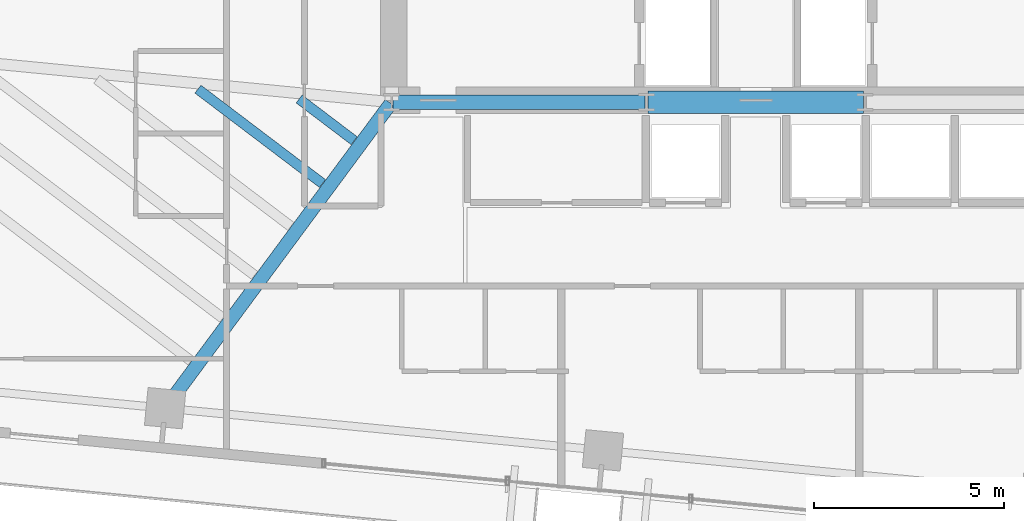
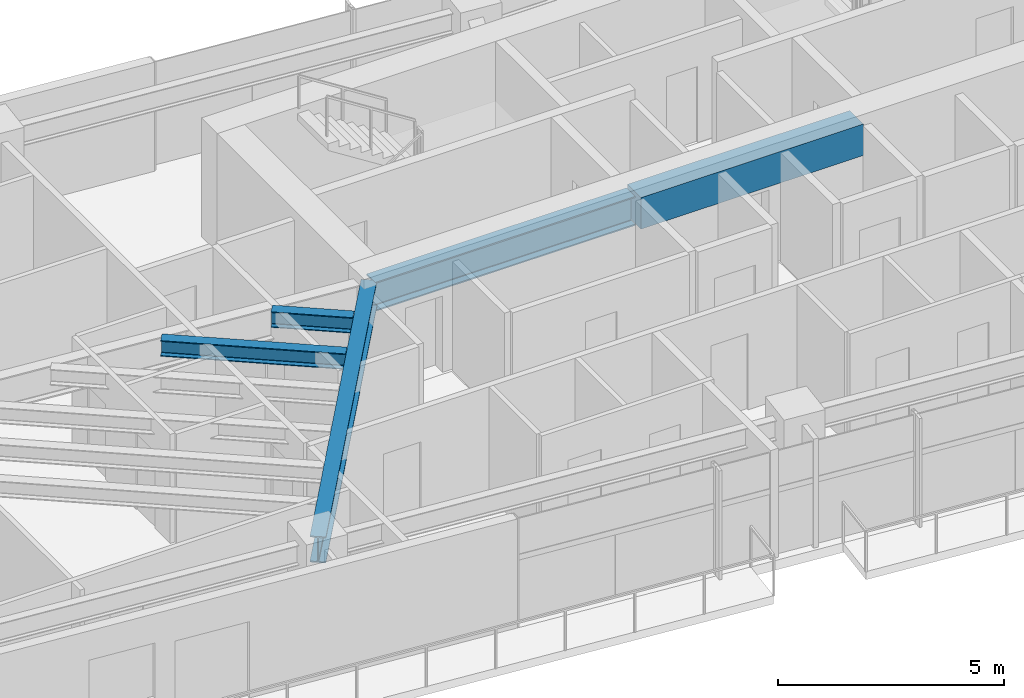
# One storey, part 5 of 20: 5 beams.
"""IFC4 building model written with IfcOpenShell, lengths in metres."""

import ifcopenshell
import ifcopenshell.guid

model = None  # the IFC model being written
_history = None  # IfcOwnerHistory: only IFC2X3 demands one
_inside = {}  # id of a spatial element -> (the spatial element, [elements in it])
_under = {}  # id of a project, library or spatial element -> (it, [spatial elements below it])
_declared = {}  # id of a project -> (the project, [libraries it declares])
_typed = {}  # id of a type object -> (the type object, [elements of that type])
_made_of = {}  # id of a material, layer set ... -> (it, [elements and type objects made of it])


def new_model(schema):
    """Start an empty IFC model of exactly this schema.

    Asked for "IFC4X3", IfcOpenShell would pick the latest addendum, in which some entities
    have other attributes; the version numbers below select the first issue.
    IFC2X3 requires an IfcOwnerHistory on every rooted entity: one is made here for all.
    """
    global model, _history
    if schema == "IFC4X3":
        model = ifcopenshell.file(schema_version=(4, 3, 0, 0))
    else:
        model = ifcopenshell.file(schema=schema)
    _inside.clear()
    _under.clear()
    _declared.clear()
    _typed.clear()
    _made_of.clear()
    _history = None
    if model.schema == "IFC2X3":
        org = make("IfcOrganization", Name="unknown")
        user = make(
            "IfcPersonAndOrganization",
            ThePerson=make("IfcPerson", FamilyName="unknown"),
            TheOrganization=org,
        )
        app = make(
            "IfcApplication",
            ApplicationDeveloper=org,
            Version="unknown",
            ApplicationFullName="unknown",
            ApplicationIdentifier="unknown",
        )
        _history = make(
            "IfcOwnerHistory",
            OwningUser=user,
            OwningApplication=app,
            ChangeAction="ADDED",
            CreationDate=0,
        )
    return model


def make(cls, **values):
    """One entity of the class cls with the attributes given. An attribute that is None is left unset."""
    return model.create_entity(
        cls, **{name: value for name, value in values.items() if value is not None}
    )


def rooted(cls, **values):
    """An entity with a GlobalId (a new one), such as an element, a storey or a relation."""
    return make(cls, GlobalId=ifcopenshell.guid.new(), OwnerHistory=_history, **values)


def si_unit(unit_type, name, prefix=None):
    """IfcSIUnit, for example si_unit("LENGTHUNIT", "METRE", prefix="MILLI")."""
    return make("IfcSIUnit", UnitType=unit_type, Prefix=prefix, Name=name)


def assignment(units):
    """IfcUnitAssignment: the units of a project."""
    return None if units is None else make("IfcUnitAssignment", Units=units)


def point(xyz):
    """IfcCartesianPoint."""
    return None if xyz is None else make("IfcCartesianPoint", Coordinates=xyz)


def direction(xyz):
    """IfcDirection."""
    return None if xyz is None else make("IfcDirection", DirectionRatios=xyz)


def frame(location, z_axis=None, x_axis=None):
    """IfcAxis2Placement3D, a coordinate frame: its origin and axes. An axis left out is left unset."""
    return make(
        "IfcAxis2Placement3D",
        Location=point(location),
        Axis=direction(z_axis),
        RefDirection=direction(x_axis),
    )


def frame_2d(location, x_axis=None):
    """IfcAxis2Placement2D, a coordinate frame in the plane: its origin and x axis."""
    return make(
        "IfcAxis2Placement2D", Location=point(location), RefDirection=direction(x_axis)
    )


def origin():
    """The frame at (0, 0, 0) with its axes left unset."""
    return frame((0.0, 0.0, 0.0))


def origin_2d():
    """The frame at (0, 0) in the plane with its x axis left unset."""
    return frame_2d((0.0, 0.0))


def place(relative_to, where):
    """IfcLocalPlacement: puts the frame where relative to a parent placement (None: the world)."""
    return make(
        "IfcLocalPlacement", PlacementRelTo=relative_to, RelativePlacement=where
    )


def context(
    kind, dimensions, precision=None, world=None, true_north=None, identifier=None
):
    """IfcGeometricRepresentationContext, for example the 3D "Model" context."""
    return make(
        "IfcGeometricRepresentationContext",
        ContextIdentifier=identifier,
        ContextType=kind,
        CoordinateSpaceDimension=dimensions,
        Precision=precision,
        WorldCoordinateSystem=world,
        TrueNorth=true_north,
    )


def subcontext(parent, identifier, kind, view, scale=None):
    """IfcGeometricRepresentationSubContext, for example "Body" below "Model"."""
    return make(
        "IfcGeometricRepresentationSubContext",
        ContextIdentifier=identifier,
        ContextType=kind,
        ParentContext=parent,
        TargetScale=scale,
        TargetView=view,
    )


def project(units=None, contexts=None):
    """IfcProject with its units and contexts."""
    return rooted(
        "IfcProject",
        Name="project",
        RepresentationContexts=contexts,
        UnitsInContext=assignment(units),
    )


def spatial(cls, under=None, at=None, **own):
    """A site, building, storey or space (cls), placed at a placement, below another one or the project."""
    s = rooted(cls, ObjectPlacement=at, **own)
    if under is not None:
        _under.setdefault(under.id(), (under, []))[1].append(s)
    return s


def profile(cls, at=None, kind="AREA", **sizes):
    """A parametric profile (cls). Its sizes go by their IFC names, for example OverallWidth=200.0."""
    return make(cls, ProfileType=kind, Position=at, **sizes)


def rectangle(**sizes):
    """IfcRectangleProfileDef."""
    return profile("IfcRectangleProfileDef", **sizes)


def i_section(**sizes):
    """IfcIShapeProfileDef."""
    return profile("IfcIShapeProfileDef", **sizes)


def extrude(swept, where, along, depth):
    """IfcExtrudedAreaSolid: the profile swept, set in the frame where, extruded along a direction by depth."""
    return make(
        "IfcExtrudedAreaSolid",
        SweptArea=swept,
        Position=where,
        ExtrudedDirection=direction(along),
        Depth=depth,
    )


def shape(context_of_items, identifier, shape_type, items):
    """IfcShapeRepresentation: the items that make up one representation, for example the "Body"."""
    return make(
        "IfcShapeRepresentation",
        ContextOfItems=context_of_items,
        RepresentationIdentifier=identifier,
        RepresentationType=shape_type,
        Items=items,
    )


def source(mapping_origin, context_of_items, identifier, shape_type, items):
    """IfcRepresentationMap: a shape defined once, which mapped items show again and again."""
    return make(
        "IfcRepresentationMap",
        MappingOrigin=mapping_origin,
        MappedRepresentation=shape(context_of_items, identifier, shape_type, items),
    )


def transform(
    local_origin,
    x_axis=None,
    y_axis=None,
    z_axis=None,
    scale=None,
    scale2=None,
    scale3=None,
    uniform=True,
):
    """IfcCartesianTransformationOperator3D, or its non-uniform kind. x_axis, y_axis, z_axis: its Axis1, 2, 3."""
    if uniform:
        return make(
            "IfcCartesianTransformationOperator3D",
            Axis1=direction(x_axis),
            Axis2=direction(y_axis),
            LocalOrigin=point(local_origin),
            Scale=scale,
            Axis3=direction(z_axis),
        )
    return make(
        "IfcCartesianTransformationOperator3DnonUniform",
        Axis1=direction(x_axis),
        Axis2=direction(y_axis),
        LocalOrigin=point(local_origin),
        Scale=scale,
        Axis3=direction(z_axis),
        Scale2=scale2,
        Scale3=scale3,
    )


def mapped(mapping_source, mapping_target):
    """IfcMappedItem: shows the shape of a source again, moved by a transform."""
    return make(
        "IfcMappedItem", MappingSource=mapping_source, MappingTarget=mapping_target
    )


def material(Name=None, Category=None):
    """IfcMaterial."""
    return make("IfcMaterial", Name=Name, Category=Category)


def material_profile(
    of_material, cross_section, Name=None, Category=None, Priority=None
):
    """IfcMaterialProfile: a cross section and its material."""
    return make(
        "IfcMaterialProfile",
        Name=Name,
        Material=of_material,
        Profile=cross_section,
        Priority=Priority,
        Category=Category,
    )


def profile_set(profiles, Name=None, composite=None):
    """IfcMaterialProfileSet."""
    return make(
        "IfcMaterialProfileSet",
        Name=Name,
        MaterialProfiles=profiles,
        CompositeProfile=composite,
    )


def made_of(thing, what):
    """Note that an element or type object is made of a material, layer set ...; save() writes the relation."""
    if what is not None:
        _made_of.setdefault(what.id(), (what, []))[1].append(thing)
    return thing


def type_object(cls, material=None, **own):
    """A type object (cls), such as IfcWallType, which elements share."""
    return made_of(rooted(cls, **own), material)


def type_shapes(of_type, sources):
    """Give a type object the sources (RepresentationMaps) that its elements show as mapped items."""
    of_type.RepresentationMaps = sources


def element(
    cls,
    number,
    at=None,
    inside=None,
    cuts=None,
    type_object=None,
    material=None,
    context=None,
    identifier="Body",
    shape_type=None,
    held_by="IfcProductDefinitionShape",
    body=None,
    shapes=None,
    **own,
):
    """One element of the class cls, such as IfcWall. Its Tag is "e" and its number.

    at: its placement. inside: the storey or other place that contains it. cuts: it is an
    opening in that element (IfcRelVoidsElement). A single representation is given by context,
    identifier, shape_type and body (its items); several are given by shapes. held_by: the class
    of the entity that holds the representations. save() writes the other relations.
    """
    e = rooted(cls, Tag="e%d" % number, ObjectPlacement=at, **own)
    if body is not None:
        shapes = [shape(context, identifier, shape_type, body)]
    if shapes is not None:
        e.Representation = make(held_by, Representations=shapes)
    if inside is not None:
        _inside.setdefault(inside.id(), (inside, []))[1].append(e)
    if cuts is not None:
        rooted(
            "IfcRelVoidsElement", RelatingBuildingElement=cuts, RelatedOpeningElement=e
        )
    if type_object is not None:
        _typed.setdefault(type_object.id(), (type_object, []))[1].append(e)
    return made_of(e, material)


def aggregate(whole, parts):
    """IfcRelAggregates: a whole, such as a stair, and the parts it consists of."""
    return rooted("IfcRelAggregates", RelatingObject=whole, RelatedObjects=parts)


def save(model, path):
    """Write the relations noted so far, then the file.

    IfcRelAggregates (storeys below a building ...), IfcRelContainedInSpatialStructure (elements
    in a storey), IfcRelDefinesByType, IfcRelAssociatesMaterial and IfcRelDeclares: one each for
    every whole, place, type object, material and project.
    """
    for whole, parts in _under.values():
        aggregate(whole, parts)
    for where, things in _inside.values():
        rooted(
            "IfcRelContainedInSpatialStructure",
            RelatedElements=things,
            RelatingStructure=where,
        )
    for kind, things in _typed.values():
        rooted("IfcRelDefinesByType", RelatedObjects=things, RelatingType=kind)
    for what, things in _made_of.values():
        rooted("IfcRelAssociatesMaterial", RelatedObjects=things, RelatingMaterial=what)
    for by, libraries in _declared.values():
        rooted("IfcRelDeclares", RelatingContext=by, RelatedDefinitions=libraries)
    model.write(path)


model = new_model("IFC4")

# Units and contexts
model_context = context("Model", 3, precision=1e-05, world=origin(), true_north=direction((0.0, 1.0)))
body_context = subcontext(model_context, "Body", "Model", "MODEL_VIEW")
ifc_project = project(units=[si_unit("LENGTHUNIT", "METRE"), si_unit("AREAUNIT", "SQUARE_METRE"), si_unit("VOLUMEUNIT", "CUBIC_METRE"), si_unit("PLANEANGLEUNIT", "RADIAN"), si_unit("MASSUNIT", "GRAM", prefix="KILO")], contexts=[model_context])

# Site, building, storey
site_placement = place(None, origin())
site = spatial("IfcSite", under=ifc_project, at=site_placement, CompositionType="ELEMENT")
building_placement = place(site_placement, origin())
building = spatial("IfcBuilding", under=site, at=building_placement, Name="Astriad Promenade Condominiums", CompositionType="ELEMENT")
storey_placement = place(building_placement, frame((0.0, 0.0, 153.39990234375)))
storey = spatial("IfcBuildingStorey", under=building, at=storey_placement, Name="L44", CompositionType="ELEMENT", Elevation=153.39990234375)

# Beams
ifc_material_1 = material(Name="Steel ASTM A992 Grade 50", Category="steel")
ifc_material_profile_1 = material_profile(ifc_material_1, i_section(OverallWidth=0.3837890625, OverallDepth=0.785888671875, WebThickness=0.019775390625, FlangeThickness=0.033447265625, FilletRadius=0.021484375, at=origin_2d()), Name="W30X211")
ifc_profile_set_1 = profile_set([ifc_material_profile_1], Name="Steel ASTM A992 Grade 50")
beam_type_1 = type_object("IfcBeamType", Name="STEEL FLOOR GIRDER W30X211", PredefinedType="BEAM", material=ifc_profile_set_1)
shared_shape_1 = source(origin(), body_context, "Body", "SweptSolid", [
    extrude(i_section(OverallWidth=0.3837890625, OverallDepth=0.785888671875, WebThickness=0.019775390625, FlangeThickness=0.033447265625, FilletRadius=0.021484375, at=origin_2d()), origin(), (0.0, 0.0, 1.0), 6.64013671875),
])
type_shapes(beam_type_1, [shared_shape_1])
beam_1_placement = place(storey_placement, frame((26.43994140625, 17.39990234375, 2.547119140625), z_axis=(1.0, 0.0, 0.0), x_axis=(0.0, 1.0, 0.0)))
element("IfcBeam", 1, at=beam_1_placement, inside=storey, type_object=beam_type_1, Name="Core Ring Beam CG-S1-L44", PredefinedType="BEAM", context=body_context, shape_type="MappedRepresentation", body=[
    mapped(shared_shape_1, transform((0.0, 0.0, 0.0), scale=1.0)),
])
ifc_material_profile_2 = material_profile(ifc_material_1, i_section(OverallWidth=0.35791015625, OverallDepth=0.706298828125, WebThickness=0.018310546875, FlangeThickness=0.0302734375, FilletRadius=0.020263671875, at=origin_2d()), Name="W27X178")
ifc_profile_set_2 = profile_set([ifc_material_profile_2], Name="Steel ASTM A992 Grade 50")
beam_type_2 = type_object("IfcBeamType", Name="STEEL FLOOR GIRDER W27X178", PredefinedType="BEAM", material=ifc_profile_set_2)
shared_shape_2 = source(origin(), body_context, "Body", "SweptSolid", [
    extrude(i_section(OverallWidth=0.35791015625, OverallDepth=0.706298828125, WebThickness=0.018310546875, FlangeThickness=0.0302734375, FilletRadius=0.020263671875, at=origin_2d()), origin(), (0.0, 0.0, 1.0), 9.958984375),
])
type_shapes(beam_type_2, [shared_shape_2])
beam_2_placement = place(storey_placement, frame((20.450927734375, 9.363525390625, 2.5869140625), z_axis=(0.59497542442, 0.803743892255, 0.0), x_axis=(-0.803743892255, 0.59497542442, 0.0)))
element("IfcBeam", 2, at=beam_2_placement, inside=storey, type_object=beam_type_2, Name="Primary Floor Girder PG-W2-L44", PredefinedType="BEAM", context=body_context, shape_type="MappedRepresentation", body=[
    mapped(shared_shape_2, transform((0.0, 0.0, 0.0), scale=1.0)),
])
ifc_material_profile_3 = material_profile(ifc_material_1, i_section(OverallWidth=0.26318359375, OverallDepth=0.425537109375, WebThickness=0.01318359375, FlangeThickness=0.022216796875, FilletRadius=0.013916015625, at=origin_2d()), Name="W16X89")
ifc_profile_set_3 = profile_set([ifc_material_profile_3], Name="Steel ASTM A992 Grade 50")
beam_type_3 = type_object("IfcBeamType", Name="STEEL FLOOR JOIST W16X89", PredefinedType="JOIST", material=ifc_profile_set_3)
shared_shape_3 = source(origin(), body_context, "Body", "SweptSolid", [
    extrude(i_section(OverallWidth=0.26318359375, OverallDepth=0.425537109375, WebThickness=0.01318359375, FlangeThickness=0.022216796875, FilletRadius=0.013916015625, at=origin_2d()), origin(), (0.0, 0.0, 1.0), 4.12109375),
])
beam_3_placement = place(storey_placement, frame((21.292724609375, 17.744140625, 2.727294921875), z_axis=(0.796968568798, -0.604020778077, 0.0), x_axis=(0.604020778077, 0.796968568798, 0.0)))
element("IfcBeam", 3, at=beam_3_placement, inside=storey, type_object=beam_type_3, Name="Secondary Composite Floor Joist JW1-5-L44", PredefinedType="JOIST", context=body_context, shape_type="MappedRepresentation", body=[
    mapped(shared_shape_3, transform((0.0, 0.0, 0.0), scale=1.0)),
])
shared_shape_4 = source(origin(), body_context, "Body", "SweptSolid", [
    extrude(i_section(OverallWidth=0.26318359375, OverallDepth=0.425537109375, WebThickness=0.01318359375, FlangeThickness=0.022216796875, FilletRadius=0.013916015625, at=origin_2d()), origin(), (0.0, 0.0, 1.0), 1.82177734375),
])
type_shapes(beam_type_3, [shared_shape_3, shared_shape_4])
beam_4_placement = place(storey_placement, frame((23.96142578125, 17.48486328125, 2.727294921875), z_axis=(0.796982671853, -0.604002169504, 0.0), x_axis=(0.604002169504, 0.796982671853, 0.0)))
element("IfcBeam", 4, at=beam_4_placement, inside=storey, type_object=beam_type_3, Name="Secondary Composite Floor Joist JW1-6-L44", PredefinedType="JOIST", context=body_context, shape_type="MappedRepresentation", body=[
    mapped(shared_shape_4, transform((0.0, 0.0, 0.0), scale=1.0)),
])
ifc_material_2 = material(Name="Concrete C60/75", Category="concrete")
ifc_material_profile_4 = material_profile(ifc_material_2, rectangle(XDim=0.60009765625, YDim=0.85009765625, at=origin_2d()), Name="RC-BM-600X850")
ifc_profile_set_4 = profile_set([ifc_material_profile_4], Name="Concrete C60/75")
beam_type_4 = type_object("IfcBeamType", Name="CONCRETE CORE COUPLING LINTEL 600X850", PredefinedType="LINTEL", material=ifc_profile_set_4)
shared_shape_5 = source(origin(), body_context, "Body", "SweptSolid", [
    extrude(rectangle(XDim=0.60009765625, YDim=0.85009765625, at=origin_2d()), origin(), (0.0, 0.0, 1.0), 5.68017578125),
])
type_shapes(beam_type_4, [shared_shape_5])
beam_5_placement = place(storey_placement, frame((33.159912109375, 17.39990234375, 2.51513671875), z_axis=(1.0, 0.0, 0.0), x_axis=(0.0, 1.0, 0.0)))
element("IfcBeam", 5, at=beam_5_placement, inside=storey, type_object=beam_type_4, Name="Core Ring Beam CG-S2-L44", PredefinedType="LINTEL", context=body_context, shape_type="MappedRepresentation", body=[
    mapped(shared_shape_5, transform((0.0, 0.0, 0.0), scale=1.0)),
])

save(model, "model.ifc")
